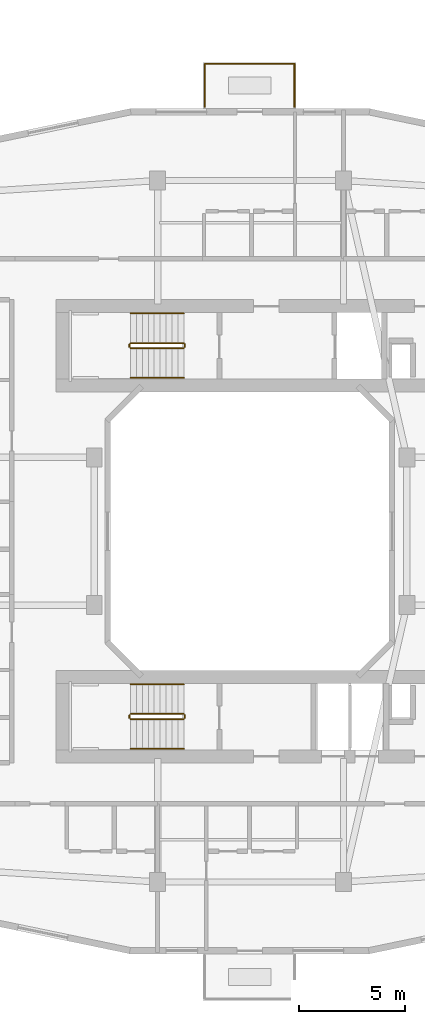
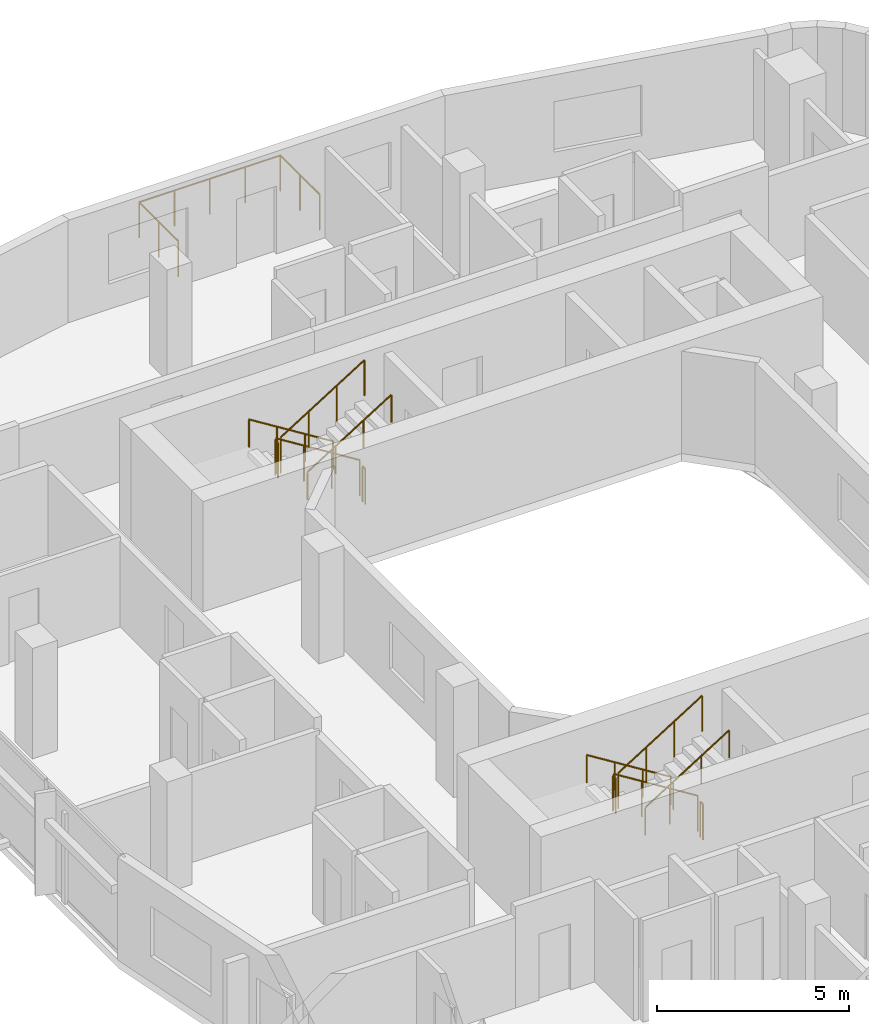
# One storey, part 22 of 22: 15 railings.
"""IFC4 building model written with IfcOpenShell, lengths in metres."""

from ifc_helpers import new_model, si_unit, derived_unit, direction, frame, origin, origin_2d, place, context, subcontext, project, spatial, circle, extrude, material, type_object, element, save


model = new_model("IFC4")

# Units and contexts
model_context = context("Model", 3, precision=1e-05, world=origin(), true_north=direction((0.0, 1.0)))
body_context = subcontext(model_context, "Body", "Model", "MODEL_VIEW")
ifc_project = project(units=[si_unit("LENGTHUNIT", "METRE"), si_unit("AREAUNIT", "SQUARE_METRE"), si_unit("VOLUMEUNIT", "CUBIC_METRE"), si_unit("PLANEANGLEUNIT", "RADIAN"), si_unit("MASSUNIT", "GRAM", prefix="KILO"), derived_unit("THERMALTRANSMITTANCEUNIT", [(si_unit("POWERUNIT", "WATT"), 1), (si_unit("LENGTHUNIT", "METRE"), -2), (si_unit("THERMODYNAMICTEMPERATUREUNIT", "KELVIN"), -1)])], contexts=[model_context])

# Site, building, storey
site_placement = place(None, origin())
site = spatial("IfcSite", under=ifc_project, at=site_placement, CompositionType="ELEMENT")
building_placement = place(site_placement, origin())
building = spatial("IfcBuilding", under=site, at=building_placement, Name="Kivonza Crest Hotel", CompositionType="ELEMENT")
storey_placement = place(building_placement, frame((0.0, 0.0, 48.5)))
storey = spatial("IfcBuildingStorey", under=building, at=storey_placement, Name="L12", CompositionType="ELEMENT", Elevation=48.5)

# Railings
ifc_material_1 = material(Name="Brushed stainless steel handrail", Category="steel")
railing_type_1 = type_object("IfcRailingType", Name="RL-HAND-900", PredefinedType="HANDRAIL", material=ifc_material_1)
railing_1_placement = place(storey_placement, frame((73.840087890625, 35.31005859375, 0.175048828125)))
element("IfcRailing", 1, at=railing_1_placement, inside=storey, type_object=railing_type_1, Name="L12 ST-T2-N stair handrail 1", PredefinedType="HANDRAIL", context=body_context, shape_type="SweptSolid", body=[
    extrude(circle(Radius=0.02392578125, at=origin_2d()), frame((0.0, 0.0, 0.8759765625), z_axis=(-0.848007534815, 0.0, 0.529984170421), x_axis=(0.0, -1.0, 0.0)), (0.0, 0.0, 1.0), 2.9716796875),
    extrude(circle(Radius=0.02099609375, at=origin_2d()), origin(), (0.0, 0.0, 1.0), 0.851806640625),
    extrude(circle(Radius=0.02099609375, at=origin_2d()), frame((-0.840087890625, 0.0, 0.52490234375)), (0.0, 0.0, 1.0), 0.851806640625),
    extrude(circle(Radius=0.02099609375, at=origin_2d()), frame((-1.679931640625, 0.0, 1.050048828125)), (0.0, 0.0, 1.0), 0.851806640625),
    extrude(circle(Radius=0.02099609375, at=origin_2d()), frame((-2.52001953125, 0.0, 1.574951171875)), (0.0, 0.0, 1.0), 0.851806640625),
])
railing_2_placement = place(storey_placement, frame((71.320068359375, 32.27001953125, 1.925048828125)))
element("IfcRailing", 2, at=railing_2_placement, inside=storey, type_object=railing_type_1, Name="L12 ST-T2-N stair handrail 2", PredefinedType="HANDRAIL", context=body_context, shape_type="SweptSolid", body=[
    extrude(circle(Radius=0.02392578125, at=origin_2d()), frame((0.0, 0.0, 0.8759765625), z_axis=(0.848007534815, 0.0, 0.529984170421), x_axis=(0.0, 1.0, 0.0)), (0.0, 0.0, 1.0), 2.9716796875),
    extrude(circle(Radius=0.02099609375, at=origin_2d()), origin(), (0.0, 0.0, 1.0), 0.851806640625),
    extrude(circle(Radius=0.02099609375, at=origin_2d()), frame((0.840087890625, 0.0, 0.52490234375)), (0.0, 0.0, 1.0), 0.851806640625),
    extrude(circle(Radius=0.02099609375, at=origin_2d()), frame((1.679931640625, 0.0, 1.050048828125)), (0.0, 0.0, 1.0), 0.851806640625),
    extrude(circle(Radius=0.02099609375, at=origin_2d()), frame((2.52001953125, 0.0, 1.574951171875)), (0.0, 0.0, 1.0), 0.851806640625),
])
railing_3_placement = place(storey_placement, frame((73.840087890625, 17.75, 0.175048828125)))
element("IfcRailing", 3, at=railing_3_placement, inside=storey, type_object=railing_type_1, Name="L12 ST-T2-S stair handrail 1", PredefinedType="HANDRAIL", context=body_context, shape_type="SweptSolid", body=[
    extrude(circle(Radius=0.02392578125, at=origin_2d()), frame((0.0, 0.0, 0.8759765625), z_axis=(-0.848007534815, 0.0, 0.529984170421), x_axis=(0.0, -1.0, 0.0)), (0.0, 0.0, 1.0), 2.9716796875),
    extrude(circle(Radius=0.02099609375, at=origin_2d()), origin(), (0.0, 0.0, 1.0), 0.851806640625),
    extrude(circle(Radius=0.02099609375, at=origin_2d()), frame((-0.840087890625, 0.0, 0.52490234375)), (0.0, 0.0, 1.0), 0.851806640625),
    extrude(circle(Radius=0.02099609375, at=origin_2d()), frame((-1.679931640625, 0.0, 1.050048828125)), (0.0, 0.0, 1.0), 0.851806640625),
    extrude(circle(Radius=0.02099609375, at=origin_2d()), frame((-2.52001953125, 0.0, 1.574951171875)), (0.0, 0.0, 1.0), 0.851806640625),
])
railing_4_placement = place(storey_placement, frame((71.320068359375, 14.7099609375, 1.925048828125)))
element("IfcRailing", 4, at=railing_4_placement, inside=storey, type_object=railing_type_1, Name="L12 ST-T2-S stair handrail 2", PredefinedType="HANDRAIL", context=body_context, shape_type="SweptSolid", body=[
    extrude(circle(Radius=0.02392578125, at=origin_2d()), frame((0.0, 0.0, 0.8759765625), z_axis=(0.848007534815, 0.0, 0.529984170421), x_axis=(0.0, 1.0, 0.0)), (0.0, 0.0, 1.0), 2.9716796875),
    extrude(circle(Radius=0.02099609375, at=origin_2d()), origin(), (0.0, 0.0, 1.0), 0.851806640625),
    extrude(circle(Radius=0.02099609375, at=origin_2d()), frame((0.840087890625, 0.0, 0.52490234375)), (0.0, 0.0, 1.0), 0.851806640625),
    extrude(circle(Radius=0.02099609375, at=origin_2d()), frame((1.679931640625, 0.0, 1.050048828125)), (0.0, 0.0, 1.0), 0.851806640625),
    extrude(circle(Radius=0.02099609375, at=origin_2d()), frame((2.52001953125, 0.0, 1.574951171875)), (0.0, 0.0, 1.0), 0.851806640625),
])
ifc_material_2 = material(Name="Painted steel balustrade", Category="steel")
railing_type_2 = type_object("IfcRailingType", Name="RL-STAIR-1150", PredefinedType="BALUSTRADE", material=ifc_material_2)
railing_5_placement = place(storey_placement, frame((73.840087890625, 33.909912109375, 0.175048828125)))
element("IfcRailing", 5, at=railing_5_placement, inside=storey, type_object=railing_type_2, Name="L12 ST-T2-N stair guard 1", PredefinedType="BALUSTRADE", context=body_context, shape_type="SweptSolid", body=[
    extrude(circle(Radius=0.02392578125, at=origin_2d()), frame((0.0, 0.0, 1.1259765625), z_axis=(-0.848007534815, 0.0, 0.529984170421), x_axis=(0.0, -1.0, 0.0)), (0.0, 0.0, 1.0), 2.9716796875),
    extrude(circle(Radius=0.02099609375, at=origin_2d()), origin(), (0.0, 0.0, 1.0), 1.101806640625),
    extrude(circle(Radius=0.02099609375, at=origin_2d()), frame((-0.840087890625, 0.0, 0.52490234375)), (0.0, 0.0, 1.0), 1.101806640625),
    extrude(circle(Radius=0.02099609375, at=origin_2d()), frame((-1.679931640625, 0.0, 1.050048828125)), (0.0, 0.0, 1.0), 1.101806640625),
    extrude(circle(Radius=0.02099609375, at=origin_2d()), frame((-2.52001953125, 0.0, 1.574951171875)), (0.0, 0.0, 1.0), 1.101806640625),
])
railing_6_placement = place(storey_placement, frame((71.27001953125, 33.860107421875, 1.75)))
element("IfcRailing", 6, at=railing_6_placement, inside=storey, type_object=railing_type_2, Name="L12 ST-T2-N stair guard 2", PredefinedType="BALUSTRADE", context=body_context, shape_type="SweptSolid", body=[
    extrude(circle(Radius=0.02392578125, at=origin_2d()), frame((0.0, 0.0, 1.1259765625), z_axis=(0.0, -1.0, 0.0), x_axis=(1.0, 0.0, 0.0)), (0.0, 0.0, 1.0), 0.14013671875),
    extrude(circle(Radius=0.02099609375, at=origin_2d()), origin(), (0.0, 0.0, 1.0), 1.101806640625),
    extrude(circle(Radius=0.02099609375, at=origin_2d()), frame((0.0, -0.14013671875, 0.0)), (0.0, 0.0, 1.0), 1.101806640625),
])
railing_7_placement = place(storey_placement, frame((71.320068359375, 33.669921875, 1.925048828125)))
element("IfcRailing", 7, at=railing_7_placement, inside=storey, type_object=railing_type_2, Name="L12 ST-T2-N stair guard 3", PredefinedType="BALUSTRADE", context=body_context, shape_type="SweptSolid", body=[
    extrude(circle(Radius=0.02392578125, at=origin_2d()), frame((0.0, 0.0, 1.1259765625), z_axis=(0.848007534815, 0.0, 0.529984170421), x_axis=(0.0, 1.0, 0.0)), (0.0, 0.0, 1.0), 2.9716796875),
    extrude(circle(Radius=0.02099609375, at=origin_2d()), origin(), (0.0, 0.0, 1.0), 1.101806640625),
    extrude(circle(Radius=0.02099609375, at=origin_2d()), frame((0.840087890625, 0.0, 0.52490234375)), (0.0, 0.0, 1.0), 1.101806640625),
    extrude(circle(Radius=0.02099609375, at=origin_2d()), frame((1.679931640625, 0.0, 1.050048828125)), (0.0, 0.0, 1.0), 1.101806640625),
    extrude(circle(Radius=0.02099609375, at=origin_2d()), frame((2.52001953125, 0.0, 1.574951171875)), (0.0, 0.0, 1.0), 1.101806640625),
])
railing_8_placement = place(storey_placement, frame((73.889892578125, 33.860107421875, 0.0)))
element("IfcRailing", 8, at=railing_8_placement, inside=storey, type_object=railing_type_2, Name="L12 ST-T2-N stair guard 4", PredefinedType="BALUSTRADE", context=body_context, shape_type="SweptSolid", body=[
    extrude(circle(Radius=0.02392578125, at=origin_2d()), frame((0.0, 0.0, 1.1259765625), z_axis=(0.0, -1.0, 0.0), x_axis=(1.0, 0.0, 0.0)), (0.0, 0.0, 1.0), 0.14013671875),
    extrude(circle(Radius=0.02099609375, at=origin_2d()), origin(), (0.0, 0.0, 1.0), 1.101806640625),
    extrude(circle(Radius=0.02099609375, at=origin_2d()), frame((0.0, -0.14013671875, 0.0)), (0.0, 0.0, 1.0), 1.101806640625),
])
railing_9_placement = place(storey_placement, frame((73.840087890625, 16.35009765625, 0.175048828125)))
element("IfcRailing", 9, at=railing_9_placement, inside=storey, type_object=railing_type_2, Name="L12 ST-T2-S stair guard 1", PredefinedType="BALUSTRADE", context=body_context, shape_type="SweptSolid", body=[
    extrude(circle(Radius=0.02392578125, at=origin_2d()), frame((0.0, 0.0, 1.1259765625), z_axis=(-0.848007534815, 0.0, 0.529984170421), x_axis=(0.0, -1.0, 0.0)), (0.0, 0.0, 1.0), 2.9716796875),
    extrude(circle(Radius=0.02099609375, at=origin_2d()), origin(), (0.0, 0.0, 1.0), 1.101806640625),
    extrude(circle(Radius=0.02099609375, at=origin_2d()), frame((-0.840087890625, 0.0, 0.52490234375)), (0.0, 0.0, 1.0), 1.101806640625),
    extrude(circle(Radius=0.02099609375, at=origin_2d()), frame((-1.679931640625, 0.0, 1.050048828125)), (0.0, 0.0, 1.0), 1.101806640625),
    extrude(circle(Radius=0.02099609375, at=origin_2d()), frame((-2.52001953125, 0.0, 1.574951171875)), (0.0, 0.0, 1.0), 1.101806640625),
])
railing_10_placement = place(storey_placement, frame((71.27001953125, 16.300048828125, 1.75)))
element("IfcRailing", 10, at=railing_10_placement, inside=storey, type_object=railing_type_2, Name="L12 ST-T2-S stair guard 2", PredefinedType="BALUSTRADE", context=body_context, shape_type="SweptSolid", body=[
    extrude(circle(Radius=0.02392578125, at=origin_2d()), frame((0.0, 0.0, 1.1259765625), z_axis=(0.0, -1.0, 0.0), x_axis=(1.0, 0.0, 0.0)), (0.0, 0.0, 1.0), 0.14013671875),
    extrude(circle(Radius=0.02099609375, at=origin_2d()), origin(), (0.0, 0.0, 1.0), 1.101806640625),
    extrude(circle(Radius=0.02099609375, at=origin_2d()), frame((0.0, -0.14013671875, 0.0)), (0.0, 0.0, 1.0), 1.101806640625),
])
railing_11_placement = place(storey_placement, frame((71.320068359375, 16.110107421875, 1.925048828125)))
element("IfcRailing", 11, at=railing_11_placement, inside=storey, type_object=railing_type_2, Name="L12 ST-T2-S stair guard 3", PredefinedType="BALUSTRADE", context=body_context, shape_type="SweptSolid", body=[
    extrude(circle(Radius=0.02392578125, at=origin_2d()), frame((0.0, 0.0, 1.1259765625), z_axis=(0.848007534815, 0.0, 0.529984170421), x_axis=(0.0, 1.0, 0.0)), (0.0, 0.0, 1.0), 2.9716796875),
    extrude(circle(Radius=0.02099609375, at=origin_2d()), origin(), (0.0, 0.0, 1.0), 1.101806640625),
    extrude(circle(Radius=0.02099609375, at=origin_2d()), frame((0.840087890625, 0.0, 0.52490234375)), (0.0, 0.0, 1.0), 1.101806640625),
    extrude(circle(Radius=0.02099609375, at=origin_2d()), frame((1.679931640625, 0.0, 1.050048828125)), (0.0, 0.0, 1.0), 1.101806640625),
    extrude(circle(Radius=0.02099609375, at=origin_2d()), frame((2.52001953125, 0.0, 1.574951171875)), (0.0, 0.0, 1.0), 1.101806640625),
])
railing_12_placement = place(storey_placement, frame((73.889892578125, 16.300048828125, 0.0)))
element("IfcRailing", 12, at=railing_12_placement, inside=storey, type_object=railing_type_2, Name="L12 ST-T2-S stair guard 4", PredefinedType="BALUSTRADE", context=body_context, shape_type="SweptSolid", body=[
    extrude(circle(Radius=0.02392578125, at=origin_2d()), frame((0.0, 0.0, 1.1259765625), z_axis=(0.0, -1.0, 0.0), x_axis=(1.0, 0.0, 0.0)), (0.0, 0.0, 1.0), 0.14013671875),
    extrude(circle(Radius=0.02099609375, at=origin_2d()), origin(), (0.0, 0.0, 1.0), 1.101806640625),
    extrude(circle(Radius=0.02099609375, at=origin_2d()), frame((0.0, -0.14013671875, 0.0)), (0.0, 0.0, 1.0), 1.101806640625),
])
ifc_material_3 = material(Name="Laminated glass and stainless steel balustrade", Category="steel")
railing_type_3 = type_object("IfcRailingType", Name="RL-TERR-1150", PredefinedType="BALUSTRADE", material=ifc_material_3)
railing_13_placement = place(storey_placement, frame((74.840087890625, 45.080078125, 0.0)))
element("IfcRailing", 13, at=railing_13_placement, inside=storey, type_object=railing_type_3, Name="L12 T2-L12-SG-NE perimeter safety balustrade 1", PredefinedType="BALUSTRADE", context=body_context, shape_type="SweptSolid", body=[
    extrude(circle(Radius=0.02392578125, at=origin_2d()), frame((0.0, 0.0, 1.1259765625), z_axis=(0.0, 1.0, 0.0), x_axis=(-1.0, 0.0, 0.0)), (0.0, 0.0, 1.0), 2.0400390625),
    extrude(circle(Radius=0.02099609375, at=origin_2d()), origin(), (0.0, 0.0, 1.0), 1.101806640625),
    extrude(circle(Radius=0.02099609375, at=origin_2d()), frame((0.0, 1.02001953125, 0.0)), (0.0, 0.0, 1.0), 1.101806640625),
    extrude(circle(Radius=0.02099609375, at=origin_2d()), frame((0.0, 2.0400390625, 0.0)), (0.0, 0.0, 1.0), 1.101806640625),
])
railing_14_placement = place(storey_placement, frame((74.840087890625, 47.1201171875, 0.0)))
element("IfcRailing", 14, at=railing_14_placement, inside=storey, type_object=railing_type_3, Name="L12 T2-L12-SG-NE perimeter safety balustrade 2", PredefinedType="BALUSTRADE", context=body_context, shape_type="SweptSolid", body=[
    extrude(circle(Radius=0.02392578125, at=origin_2d()), frame((0.0, 0.0, 1.1259765625), z_axis=(1.0, 0.0, 0.0), x_axis=(0.0, 1.0, 0.0)), (0.0, 0.0, 1.0), 4.239990234375),
    extrude(circle(Radius=0.02099609375, at=origin_2d()), origin(), (0.0, 0.0, 1.0), 1.101806640625),
    extrude(circle(Radius=0.02099609375, at=origin_2d()), frame((1.06005859375, 0.0, 0.0)), (0.0, 0.0, 1.0), 1.101806640625),
    extrude(circle(Radius=0.02099609375, at=origin_2d()), frame((2.1201171875, 0.0, 0.0)), (0.0, 0.0, 1.0), 1.101806640625),
    extrude(circle(Radius=0.02099609375, at=origin_2d()), frame((3.179931640625, 0.0, 0.0)), (0.0, 0.0, 1.0), 1.101806640625),
    extrude(circle(Radius=0.02099609375, at=origin_2d()), frame((4.239990234375, 0.0, 0.0)), (0.0, 0.0, 1.0), 1.101806640625),
])
railing_15_placement = place(storey_placement, frame((79.080078125, 47.1201171875, 0.0)))
element("IfcRailing", 15, at=railing_15_placement, inside=storey, type_object=railing_type_3, Name="L12 T2-L12-SG-NE perimeter safety balustrade 3", PredefinedType="BALUSTRADE", context=body_context, shape_type="SweptSolid", body=[
    extrude(circle(Radius=0.02392578125, at=origin_2d()), frame((0.0, 0.0, 1.1259765625), z_axis=(0.0, -1.0, 0.0), x_axis=(1.0, 0.0, 0.0)), (0.0, 0.0, 1.0), 2.0400390625),
    extrude(circle(Radius=0.02099609375, at=origin_2d()), origin(), (0.0, 0.0, 1.0), 1.101806640625),
    extrude(circle(Radius=0.02099609375, at=origin_2d()), frame((0.0, -1.02001953125, 0.0)), (0.0, 0.0, 1.0), 1.101806640625),
    extrude(circle(Radius=0.02099609375, at=origin_2d()), frame((0.0, -2.0400390625, 0.0)), (0.0, 0.0, 1.0), 1.101806640625),
])

save(model, "model.ifc")
